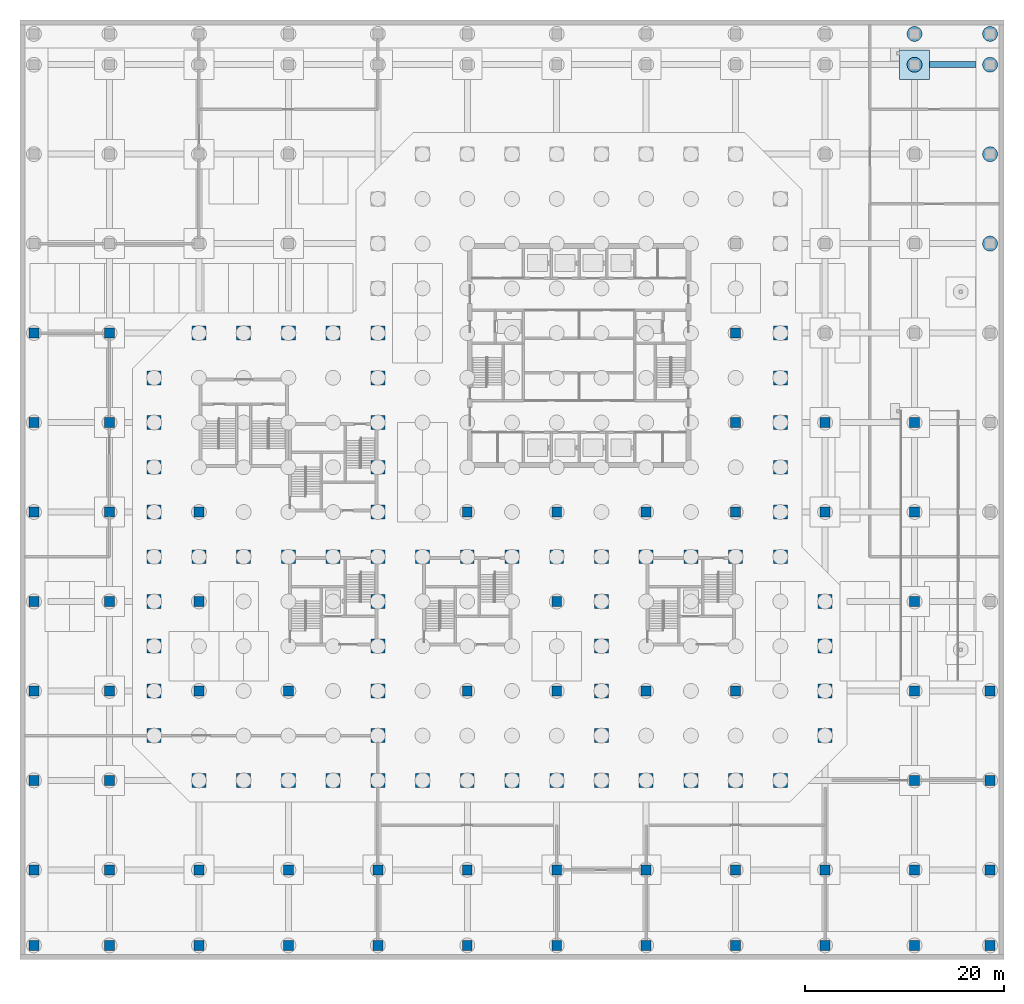
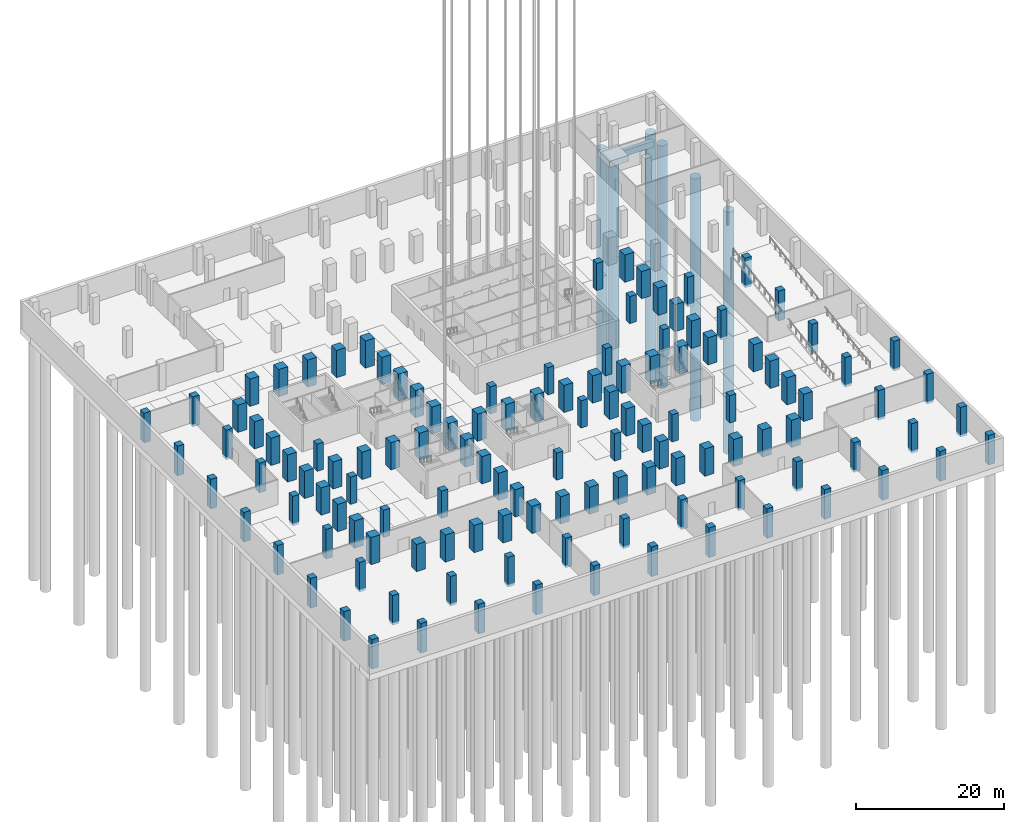
# One storey, part 4 of 37: 123 columns, 6 piles, 2 footings.
"""IFC4 building model written with IfcOpenShell, lengths in metres."""

from ifc_helpers import new_model, si_unit, direction, frame, origin, origin_2d, place, context, subcontext, project, spatial, polyline, rectangle, circle, outline, extrude, material, layer, layer_set, material_profile, profile_set, type_object, element, save


model = new_model("IFC4")

# Units and contexts
model_context = context("Model", 3, precision=1e-05, world=origin(), true_north=direction((0.0, 1.0)))
body_context = subcontext(model_context, "Body", "Model", "MODEL_VIEW")
ifc_project = project(units=[si_unit("LENGTHUNIT", "METRE"), si_unit("AREAUNIT", "SQUARE_METRE"), si_unit("VOLUMEUNIT", "CUBIC_METRE"), si_unit("PLANEANGLEUNIT", "RADIAN"), si_unit("MASSUNIT", "GRAM", prefix="KILO")], contexts=[model_context])

# Site, building, storey
site_placement = place(None, origin())
site = spatial("IfcSite", under=ifc_project, at=site_placement, CompositionType="ELEMENT")
building_placement = place(site_placement, origin())
building = spatial("IfcBuilding", under=site, at=building_placement, Name="Quoin Convention Tower", CompositionType="ELEMENT")
storey_placement = place(building_placement, frame((0.0, 0.0, -9.0)))
storey = spatial("IfcBuildingStorey", under=building, at=storey_placement, Name="B2", CompositionType="ELEMENT", Elevation=-9.0)

# Footing
ifc_material_1 = material(Name="Concrete C50", Category="concrete")
footing_type_1 = type_object("IfcFootingType", Name="PILE CAP 3000x3000x1000 C50", PredefinedType="PILE_CAP", material=ifc_material_1)
footing_1_placement = place(storey_placement, frame((90.0, 90.0, -1.39990234375), z_axis=(0.0, 0.0, 1.0), x_axis=(1.0, 0.0, 0.0)))
element("IfcFooting", 1, at=footing_1_placement, inside=storey, type_object=footing_type_1, Name="ftg-pad-90000_90000", PredefinedType="PILE_CAP", context=body_context, shape_type="SweptSolid", body=[
    extrude(rectangle(XDim=3.0, YDim=3.0, at=origin_2d()), origin(), (0.0, 0.0, 1.0), 1.0),
])

# Piles
ifc_material_2 = material(Name="Concrete C40", Category="concrete")
ifc_material_profile_1 = material_profile(ifc_material_2, circle(Radius=0.75, at=origin_2d()), Name="D1500")
ifc_profile_set_1 = profile_set([ifc_material_profile_1], Name="Concrete C40")
pile_type = type_object("IfcPileType", Name="PILE D1500 C40", PredefinedType="BORED", material=ifc_profile_set_1)
for number, where, z_axis, x_axis, name in (
    (2, (97.60009765625, 72.0, -1.39990234375), (0.0, 0.0, -1.0), (1.0, 0.0, 0.0), "pile-E97600_72000"),
    (3, (97.60009765625, 81.0, -1.39990234375), (0.0, 0.0, -1.0), (1.0, 0.0, 0.0), "pile-E97600_81000"),
    (4, (97.60009765625, 90.0, -1.39990234375), (0.0, 0.0, -1.0), (1.0, 0.0, 0.0), "pile-E97600_90000"),
    (5, (90.0, 93.10009765625, -1.39990234375), (0.0, 0.0, -1.0), (1.0, 0.0, 0.0), "pile-E90000_93100"),
    (6, (97.60009765625, 93.10009765625, -1.39990234375), (0.0, 0.0, -1.0), (1.0, 0.0, 0.0), "pile-E97600_93100"),
    (7, (90.0, 90.0, -1.39990234375), (0.0, 0.0, -1.0), (1.0, 0.0, 0.0), "pile-P90000_90000"),
):
    element("IfcPile", number, at=place(storey_placement, frame(where, z_axis=z_axis, x_axis=x_axis)), inside=storey, type_object=pile_type, Name=name, PredefinedType="BORED", context=body_context, shape_type="SweptSolid", body=[
        extrude(circle(Radius=0.75, at=origin_2d()), origin(), (0.0, 0.0, 1.0), 40.0),
    ])

# Footing
ifc_layer = layer(ifc_material_1, 1.0)
ifc_layer_set = layer_set([ifc_layer], Name="Concrete C50")
footing_type_2 = type_object("IfcFootingType", Name="TIE FOOTING 600 C50", PredefinedType="STRIP_FOOTING", material=ifc_layer_set)
footing_2_placement = place(storey_placement, frame((0.0, 0.0, -1.39990234375)))
element("IfcFooting", 8, at=footing_2_placement, inside=storey, type_object=footing_type_2, Name="ftg-tie-93850_90000", PredefinedType="STRIP_FOOTING", context=body_context, shape_type="SweptSolid", body=[
    extrude(outline(polyline([(96.199951171875, 89.699951171875), (91.5, 89.699951171875), (91.5, 90.300048828125), (96.199951171875, 90.300048828125), (96.199951171875, 89.699951171875)])), origin(), (0.0, 0.0, 1.0), 1.0),
])

# Columns
ifc_material_3 = material(Name="Concrete C100 (100 MPa)", Category="concrete")
ifc_material_profile_2 = material_profile(ifc_material_3, rectangle(XDim=1.0, YDim=1.0, at=origin_2d()), Name="RC 1000x1000")
ifc_profile_set_2 = profile_set([ifc_material_profile_2], Name="Concrete C100 (100 MPa)")
column_type_1 = type_object("IfcColumnType", Name="RC 1000x1000 C100", PredefinedType="COLUMN", material=ifc_profile_set_2)
for number, where, z_axis, x_axis, name in (
    (9, (9.0, 9.0, -0.39990234375), (0.0, 0.0, 1.0), (1.0, 0.0, 0.0), "col-B2-G9000_9000"),
    (10, (9.0, 18.0, -0.39990234375), (0.0, 0.0, 1.0), (1.0, 0.0, 0.0), "col-B2-G9000_18000"),
    (11, (9.0, 27.0, -0.39990234375), (0.0, 0.0, 1.0), (1.0, 0.0, 0.0), "col-B2-G9000_27000"),
    (12, (9.0, 36.0, -0.39990234375), (0.0, 0.0, 1.0), (1.0, 0.0, 0.0), "col-B2-G9000_36000"),
    (13, (9.0, 45.0, -0.39990234375), (0.0, 0.0, 1.0), (1.0, 0.0, 0.0), "col-B2-G9000_45000"),
    (14, (9.0, 54.0, -0.39990234375), (0.0, 0.0, 1.0), (1.0, 0.0, 0.0), "col-B2-G9000_54000"),
    (15, (9.0, 63.0, -0.39990234375), (0.0, 0.0, 1.0), (1.0, 0.0, 0.0), "col-B2-G9000_63000"),
    (16, (18.0, 9.0, -0.39990234375), (0.0, 0.0, 1.0), (1.0, 0.0, 0.0), "col-B2-G18000_9000"),
):
    element("IfcColumn", number, at=place(storey_placement, frame(where, z_axis=z_axis, x_axis=x_axis)), inside=storey, type_object=column_type_1, Name=name, PredefinedType="COLUMN", context=body_context, shape_type="SweptSolid", body=[
        extrude(rectangle(XDim=1.0, YDim=1.0, at=origin_2d()), origin(), (0.0, 0.0, 1.0), 4.89990234375),
    ])
for number, where, z_axis, x_axis, name in (
    (17, (18.0, 27.0, 0.0), (0.0, 0.0, 1.0), (1.0, 0.0, 0.0), "col-B2-G18000_27000"),
    (18, (18.0, 36.0, 0.0), (0.0, 0.0, 1.0), (1.0, 0.0, 0.0), "col-B2-G18000_36000"),
    (19, (18.0, 45.0, 0.0), (0.0, 0.0, 1.0), (1.0, 0.0, 0.0), "col-B2-G18000_45000"),
):
    element("IfcColumn", number, at=place(storey_placement, frame(where, z_axis=z_axis, x_axis=x_axis)), inside=storey, type_object=column_type_1, Name=name, PredefinedType="COLUMN", context=body_context, shape_type="SweptSolid", body=[
        extrude(rectangle(XDim=1.0, YDim=1.0, at=origin_2d()), origin(), (0.0, 0.0, 1.0), 4.5),
    ])
column_1_placement = place(storey_placement, frame((27.0, 9.0, -0.39990234375), z_axis=(0.0, 0.0, 1.0), x_axis=(1.0, 0.0, 0.0)))
element("IfcColumn", 20, at=column_1_placement, inside=storey, type_object=column_type_1, Name="col-B2-G27000_9000", PredefinedType="COLUMN", context=body_context, shape_type="SweptSolid", body=[
    extrude(rectangle(XDim=1.0, YDim=1.0, at=origin_2d()), origin(), (0.0, 0.0, 1.0), 4.89990234375),
])
column_2_placement = place(storey_placement, frame((27.0, 27.0, 0.0), z_axis=(0.0, 0.0, 1.0), x_axis=(1.0, 0.0, 0.0)))
element("IfcColumn", 21, at=column_2_placement, inside=storey, type_object=column_type_1, Name="col-B2-G27000_27000", PredefinedType="COLUMN", context=body_context, shape_type="SweptSolid", body=[
    extrude(rectangle(XDim=1.0, YDim=1.0, at=origin_2d()), origin(), (0.0, 0.0, 1.0), 4.5),
])
for number, where, z_axis, x_axis, name in (
    (22, (36.0, 9.0, -0.39990234375), (0.0, 0.0, 1.0), (1.0, 0.0, 0.0), "col-B2-G36000_9000"),
    (23, (45.0, 9.0, -0.39990234375), (0.0, 0.0, 1.0), (1.0, 0.0, 0.0), "col-B2-G45000_9000"),
):
    element("IfcColumn", number, at=place(storey_placement, frame(where, z_axis=z_axis, x_axis=x_axis)), inside=storey, type_object=column_type_1, Name=name, PredefinedType="COLUMN", context=body_context, shape_type="SweptSolid", body=[
        extrude(rectangle(XDim=1.0, YDim=1.0, at=origin_2d()), origin(), (0.0, 0.0, 1.0), 4.89990234375),
    ])
for number, where, z_axis, x_axis, name in (
    (24, (45.0, 27.0, 0.0), (0.0, 0.0, 1.0), (1.0, 0.0, 0.0), "col-B2-G45000_27000"),
    (25, (45.0, 45.0, 0.0), (0.0, 0.0, 1.0), (1.0, 0.0, 0.0), "col-B2-G45000_45000"),
):
    element("IfcColumn", number, at=place(storey_placement, frame(where, z_axis=z_axis, x_axis=x_axis)), inside=storey, type_object=column_type_1, Name=name, PredefinedType="COLUMN", context=body_context, shape_type="SweptSolid", body=[
        extrude(rectangle(XDim=1.0, YDim=1.0, at=origin_2d()), origin(), (0.0, 0.0, 1.0), 4.5),
    ])
column_3_placement = place(storey_placement, frame((54.0, 9.0, -0.39990234375), z_axis=(0.0, 0.0, 1.0), x_axis=(1.0, 0.0, 0.0)))
element("IfcColumn", 26, at=column_3_placement, inside=storey, type_object=column_type_1, Name="col-B2-G54000_9000", PredefinedType="COLUMN", context=body_context, shape_type="SweptSolid", body=[
    extrude(rectangle(XDim=1.0, YDim=1.0, at=origin_2d()), origin(), (0.0, 0.0, 1.0), 4.89990234375),
])
for number, where, z_axis, x_axis, name in (
    (27, (54.0, 27.0, 0.0), (0.0, 0.0, 1.0), (1.0, 0.0, 0.0), "col-B2-G54000_27000"),
    (28, (54.0, 36.0, 0.0), (0.0, 0.0, 1.0), (1.0, 0.0, 0.0), "col-B2-G54000_36000"),
    (29, (54.0, 45.0, 0.0), (0.0, 0.0, 1.0), (1.0, 0.0, 0.0), "col-B2-G54000_45000"),
):
    element("IfcColumn", number, at=place(storey_placement, frame(where, z_axis=z_axis, x_axis=x_axis)), inside=storey, type_object=column_type_1, Name=name, PredefinedType="COLUMN", context=body_context, shape_type="SweptSolid", body=[
        extrude(rectangle(XDim=1.0, YDim=1.0, at=origin_2d()), origin(), (0.0, 0.0, 1.0), 4.5),
    ])
column_4_placement = place(storey_placement, frame((63.0, 9.0, -0.39990234375), z_axis=(0.0, 0.0, 1.0), x_axis=(1.0, 0.0, 0.0)))
element("IfcColumn", 30, at=column_4_placement, inside=storey, type_object=column_type_1, Name="col-B2-G63000_9000", PredefinedType="COLUMN", context=body_context, shape_type="SweptSolid", body=[
    extrude(rectangle(XDim=1.0, YDim=1.0, at=origin_2d()), origin(), (0.0, 0.0, 1.0), 4.89990234375),
])
for number, where, z_axis, x_axis, name in (
    (31, (63.0, 27.0, 0.0), (0.0, 0.0, 1.0), (1.0, 0.0, 0.0), "col-B2-G63000_27000"),
    (32, (63.0, 45.0, 0.0), (0.0, 0.0, 1.0), (1.0, 0.0, 0.0), "col-B2-G63000_45000"),
):
    element("IfcColumn", number, at=place(storey_placement, frame(where, z_axis=z_axis, x_axis=x_axis)), inside=storey, type_object=column_type_1, Name=name, PredefinedType="COLUMN", context=body_context, shape_type="SweptSolid", body=[
        extrude(rectangle(XDim=1.0, YDim=1.0, at=origin_2d()), origin(), (0.0, 0.0, 1.0), 4.5),
    ])
column_5_placement = place(storey_placement, frame((72.0, 9.0, -0.39990234375), z_axis=(0.0, 0.0, 1.0), x_axis=(1.0, 0.0, 0.0)))
element("IfcColumn", 33, at=column_5_placement, inside=storey, type_object=column_type_1, Name="col-B2-G72000_9000", PredefinedType="COLUMN", context=body_context, shape_type="SweptSolid", body=[
    extrude(rectangle(XDim=1.0, YDim=1.0, at=origin_2d()), origin(), (0.0, 0.0, 1.0), 4.89990234375),
])
for number, where, z_axis, x_axis, name in (
    (34, (72.0, 27.0, 0.0), (0.0, 0.0, 1.0), (1.0, 0.0, 0.0), "col-B2-G72000_27000"),
    (35, (72.0, 45.0, 0.0), (0.0, 0.0, 1.0), (1.0, 0.0, 0.0), "col-B2-G72000_45000"),
    (36, (72.0, 54.0, 0.0), (0.0, 0.0, 1.0), (1.0, 0.0, 0.0), "col-B2-G72000_54000"),
    (37, (72.0, 63.0, 0.0), (0.0, 0.0, 1.0), (1.0, 0.0, 0.0), "col-B2-G72000_63000"),
):
    element("IfcColumn", number, at=place(storey_placement, frame(where, z_axis=z_axis, x_axis=x_axis)), inside=storey, type_object=column_type_1, Name=name, PredefinedType="COLUMN", context=body_context, shape_type="SweptSolid", body=[
        extrude(rectangle(XDim=1.0, YDim=1.0, at=origin_2d()), origin(), (0.0, 0.0, 1.0), 4.5),
    ])
for number, where, z_axis, x_axis, name in (
    (38, (81.0, 9.0, -0.39990234375), (0.0, 0.0, 1.0), (1.0, 0.0, 0.0), "col-B2-G81000_9000"),
    (39, (81.0, 45.0, -0.39990234375), (0.0, 0.0, 1.0), (1.0, 0.0, 0.0), "col-B2-G81000_45000"),
    (40, (81.0, 54.0, -0.39990234375), (0.0, 0.0, 1.0), (1.0, 0.0, 0.0), "col-B2-G81000_54000"),
    (41, (90.0, 9.0, -0.39990234375), (0.0, 0.0, 1.0), (1.0, 0.0, 0.0), "col-B2-G90000_9000"),
    (42, (90.0, 18.0, -0.39990234375), (0.0, 0.0, 1.0), (1.0, 0.0, 0.0), "col-B2-G90000_18000"),
    (43, (90.0, 27.0, -0.39990234375), (0.0, 0.0, 1.0), (1.0, 0.0, 0.0), "col-B2-G90000_27000"),
    (44, (90.0, 36.0, -0.39990234375), (0.0, 0.0, 1.0), (1.0, 0.0, 0.0), "col-B2-G90000_36000"),
    (45, (90.0, 45.0, -0.39990234375), (0.0, 0.0, 1.0), (1.0, 0.0, 0.0), "col-B2-G90000_45000"),
    (46, (90.0, 54.0, -0.39990234375), (0.0, 0.0, 1.0), (1.0, 0.0, 0.0), "col-B2-G90000_54000"),
    (47, (1.39990234375, 1.39990234375, -0.39990234375), (0.0, 0.0, 1.0), (1.0, 0.0, 0.0), "col-B2-X1400_1400"),
    (48, (9.0, 1.39990234375, -0.39990234375), (0.0, 0.0, 1.0), (1.0, 0.0, 0.0), "col-B2-X9000_1400"),
    (49, (18.0, 1.39990234375, -0.39990234375), (0.0, 0.0, 1.0), (1.0, 0.0, 0.0), "col-B2-X18000_1400"),
    (50, (27.0, 1.39990234375, -0.39990234375), (0.0, 0.0, 1.0), (1.0, 0.0, 0.0), "col-B2-X27000_1400"),
    (51, (36.0, 1.39990234375, -0.39990234375), (0.0, 0.0, 1.0), (1.0, 0.0, 0.0), "col-B2-X36000_1400"),
    (52, (45.0, 1.39990234375, -0.39990234375), (0.0, 0.0, 1.0), (1.0, 0.0, 0.0), "col-B2-X45000_1400"),
    (53, (54.0, 1.39990234375, -0.39990234375), (0.0, 0.0, 1.0), (1.0, 0.0, 0.0), "col-B2-X54000_1400"),
    (54, (63.0, 1.39990234375, -0.39990234375), (0.0, 0.0, 1.0), (1.0, 0.0, 0.0), "col-B2-X63000_1400"),
    (55, (72.0, 1.39990234375, -0.39990234375), (0.0, 0.0, 1.0), (1.0, 0.0, 0.0), "col-B2-X72000_1400"),
    (56, (81.0, 1.39990234375, -0.39990234375), (0.0, 0.0, 1.0), (1.0, 0.0, 0.0), "col-B2-X81000_1400"),
    (57, (90.0, 1.39990234375, -0.39990234375), (0.0, 0.0, 1.0), (1.0, 0.0, 0.0), "col-B2-X90000_1400"),
    (58, (97.60009765625, 1.39990234375, -0.39990234375), (0.0, 0.0, 1.0), (1.0, 0.0, 0.0), "col-B2-X97600_1400"),
    (59, (1.39990234375, 9.0, -0.39990234375), (0.0, 0.0, 1.0), (1.0, 0.0, 0.0), "col-B2-X1400_9000"),
    (60, (97.60009765625, 9.0, -0.39990234375), (0.0, 0.0, 1.0), (1.0, 0.0, 0.0), "col-B2-X97600_9000"),
    (61, (1.39990234375, 18.0, -0.39990234375), (0.0, 0.0, 1.0), (1.0, 0.0, 0.0), "col-B2-X1400_18000"),
    (62, (97.60009765625, 18.0, -0.39990234375), (0.0, 0.0, 1.0), (1.0, 0.0, 0.0), "col-B2-X97600_18000"),
    (63, (1.39990234375, 27.0, -0.39990234375), (0.0, 0.0, 1.0), (1.0, 0.0, 0.0), "col-B2-X1400_27000"),
    (64, (97.60009765625, 27.0, -0.39990234375), (0.0, 0.0, 1.0), (1.0, 0.0, 0.0), "col-B2-X97600_27000"),
    (65, (1.39990234375, 36.0, -0.39990234375), (0.0, 0.0, 1.0), (1.0, 0.0, 0.0), "col-B2-X1400_36000"),
    (66, (1.39990234375, 45.0, -0.39990234375), (0.0, 0.0, 1.0), (1.0, 0.0, 0.0), "col-B2-X1400_45000"),
    (67, (1.39990234375, 54.0, -0.39990234375), (0.0, 0.0, 1.0), (1.0, 0.0, 0.0), "col-B2-X1400_54000"),
    (68, (1.39990234375, 63.0, -0.39990234375), (0.0, 0.0, 1.0), (1.0, 0.0, 0.0), "col-B2-X1400_63000"),
):
    element("IfcColumn", number, at=place(storey_placement, frame(where, z_axis=z_axis, x_axis=x_axis)), inside=storey, type_object=column_type_1, Name=name, PredefinedType="COLUMN", context=body_context, shape_type="SweptSolid", body=[
        extrude(rectangle(XDim=1.0, YDim=1.0, at=origin_2d()), origin(), (0.0, 0.0, 1.0), 4.89990234375),
    ])
ifc_material_profile_3 = material_profile(ifc_material_3, rectangle(XDim=1.39990234375, YDim=1.39990234375, at=origin_2d()), Name="RC 1400x1400")
ifc_profile_set_3 = profile_set([ifc_material_profile_3], Name="Concrete C100 (100 MPa)")
column_type_2 = type_object("IfcColumnType", Name="RC 1400x1400 C100", PredefinedType="COLUMN", material=ifc_profile_set_3)
for number, where, z_axis, x_axis, name in (
    (69, (18.0, 18.0, 0.0), (0.0, 0.0, 1.0), (1.0, 0.0, 0.0), "col-B2-18000_18000"),
    (70, (22.5, 18.0, 0.0), (0.0, 0.0, 1.0), (1.0, 0.0, 0.0), "col-B2-22500_18000"),
    (71, (27.0, 18.0, 0.0), (0.0, 0.0, 1.0), (1.0, 0.0, 0.0), "col-B2-27000_18000"),
    (72, (31.5, 18.0, 0.0), (0.0, 0.0, 1.0), (1.0, 0.0, 0.0), "col-B2-31500_18000"),
    (73, (36.0, 18.0, 0.0), (0.0, 0.0, 1.0), (1.0, 0.0, 0.0), "col-B2-36000_18000"),
    (74, (40.5, 18.0, 0.0), (0.0, 0.0, 1.0), (1.0, 0.0, 0.0), "col-B2-40500_18000"),
    (75, (45.0, 18.0, 0.0), (0.0, 0.0, 1.0), (1.0, 0.0, 0.0), "col-B2-45000_18000"),
    (76, (49.5, 18.0, 0.0), (0.0, 0.0, 1.0), (1.0, 0.0, 0.0), "col-B2-49500_18000"),
    (77, (54.0, 18.0, 0.0), (0.0, 0.0, 1.0), (1.0, 0.0, 0.0), "col-B2-54000_18000"),
    (78, (58.5, 18.0, 0.0), (0.0, 0.0, 1.0), (1.0, 0.0, 0.0), "col-B2-58500_18000"),
    (79, (63.0, 18.0, 0.0), (0.0, 0.0, 1.0), (1.0, 0.0, 0.0), "col-B2-63000_18000"),
    (80, (67.5, 18.0, 0.0), (0.0, 0.0, 1.0), (1.0, 0.0, 0.0), "col-B2-67500_18000"),
    (81, (72.0, 18.0, 0.0), (0.0, 0.0, 1.0), (1.0, 0.0, 0.0), "col-B2-72000_18000"),
    (82, (76.5, 18.0, 0.0), (0.0, 0.0, 1.0), (1.0, 0.0, 0.0), "col-B2-76500_18000"),
    (83, (13.5, 22.5, 0.0), (0.0, 0.0, 1.0), (1.0, 0.0, 0.0), "col-B2-13500_22500"),
    (84, (36.0, 22.5, 0.0), (0.0, 0.0, 1.0), (1.0, 0.0, 0.0), "web-B2-36000_22500"),
    (85, (58.5, 22.5, 0.0), (0.0, 0.0, 1.0), (1.0, 0.0, 0.0), "web-B2-58500_22500"),
    (86, (81.0, 22.5, 0.0), (0.0, 0.0, 1.0), (1.0, 0.0, 0.0), "col-B2-81000_22500"),
    (87, (13.5, 27.0, 0.0), (0.0, 0.0, 1.0), (1.0, 0.0, 0.0), "col-B2-13500_27000"),
    (88, (36.0, 27.0, 0.0), (0.0, 0.0, 1.0), (1.0, 0.0, 0.0), "web-B2-36000_27000"),
    (89, (58.5, 27.0, 0.0), (0.0, 0.0, 1.0), (1.0, 0.0, 0.0), "web-B2-58500_27000"),
    (90, (81.0, 27.0, 0.0), (0.0, 0.0, 1.0), (1.0, 0.0, 0.0), "col-B2-81000_27000"),
    (91, (13.5, 31.5, 0.0), (0.0, 0.0, 1.0), (1.0, 0.0, 0.0), "col-B2-13500_31500"),
    (92, (36.0, 31.5, 0.0), (0.0, 0.0, 1.0), (1.0, 0.0, 0.0), "web-B2-36000_31500"),
    (93, (58.5, 31.5, 0.0), (0.0, 0.0, 1.0), (1.0, 0.0, 0.0), "web-B2-58500_31500"),
    (94, (81.0, 31.5, 0.0), (0.0, 0.0, 1.0), (1.0, 0.0, 0.0), "col-B2-81000_31500"),
    (95, (13.5, 36.0, 0.0), (0.0, 0.0, 1.0), (1.0, 0.0, 0.0), "col-B2-13500_36000"),
    (96, (36.0, 36.0, 0.0), (0.0, 0.0, 1.0), (1.0, 0.0, 0.0), "web-B2-36000_36000"),
    (97, (58.5, 36.0, 0.0), (0.0, 0.0, 1.0), (1.0, 0.0, 0.0), "web-B2-58500_36000"),
    (98, (81.0, 36.0, 0.0), (0.0, 0.0, 1.0), (1.0, 0.0, 0.0), "col-B2-81000_36000"),
    (99, (13.5, 40.5, 0.0), (0.0, 0.0, 1.0), (1.0, 0.0, 0.0), "col-B2-13500_40500"),
    (100, (18.0, 40.5, 0.0), (0.0, 0.0, 1.0), (1.0, 0.0, 0.0), "web-B2-18000_40500"),
    (101, (22.5, 40.5, 0.0), (0.0, 0.0, 1.0), (1.0, 0.0, 0.0), "web-B2-22500_40500"),
    (102, (27.0, 40.5, 0.0), (0.0, 0.0, 1.0), (1.0, 0.0, 0.0), "web-B2-27000_40500"),
    (103, (31.5, 40.5, 0.0), (0.0, 0.0, 1.0), (1.0, 0.0, 0.0), "web-B2-31500_40500"),
    (104, (36.0, 40.5, 0.0), (0.0, 0.0, 1.0), (1.0, 0.0, 0.0), "web-B2-36000_40500"),
    (105, (40.5, 40.5, 0.0), (0.0, 0.0, 1.0), (1.0, 0.0, 0.0), "web-B2-40500_40500"),
    (106, (45.0, 40.5, 0.0), (0.0, 0.0, 1.0), (1.0, 0.0, 0.0), "web-B2-45000_40500"),
    (107, (49.5, 40.5, 0.0), (0.0, 0.0, 1.0), (1.0, 0.0, 0.0), "web-B2-49500_40500"),
    (108, (54.0, 40.5, 0.0), (0.0, 0.0, 1.0), (1.0, 0.0, 0.0), "web-B2-54000_40500"),
    (109, (58.5, 40.5, 0.0), (0.0, 0.0, 1.0), (1.0, 0.0, 0.0), "web-B2-58500_40500"),
    (110, (63.0, 40.5, 0.0), (0.0, 0.0, 1.0), (1.0, 0.0, 0.0), "web-B2-63000_40500"),
    (111, (67.5, 40.5, 0.0), (0.0, 0.0, 1.0), (1.0, 0.0, 0.0), "web-B2-67500_40500"),
    (112, (72.0, 40.5, 0.0), (0.0, 0.0, 1.0), (1.0, 0.0, 0.0), "web-B2-72000_40500"),
    (113, (76.5, 40.5, 0.0), (0.0, 0.0, 1.0), (1.0, 0.0, 0.0), "col-B2-76500_40500"),
    (114, (13.5, 45.0, 0.0), (0.0, 0.0, 1.0), (1.0, 0.0, 0.0), "col-B2-13500_45000"),
    (115, (36.0, 45.0, 0.0), (0.0, 0.0, 1.0), (1.0, 0.0, 0.0), "web-B2-36000_45000"),
    (116, (76.5, 45.0, 0.0), (0.0, 0.0, 1.0), (1.0, 0.0, 0.0), "col-B2-76500_45000"),
    (117, (13.5, 49.5, 0.0), (0.0, 0.0, 1.0), (1.0, 0.0, 0.0), "col-B2-13500_49500"),
    (118, (36.0, 49.5, 0.0), (0.0, 0.0, 1.0), (1.0, 0.0, 0.0), "web-B2-36000_49500"),
    (119, (76.5, 49.5, 0.0), (0.0, 0.0, 1.0), (1.0, 0.0, 0.0), "col-B2-76500_49500"),
    (120, (13.5, 54.0, 0.0), (0.0, 0.0, 1.0), (1.0, 0.0, 0.0), "col-B2-13500_54000"),
    (121, (36.0, 54.0, 0.0), (0.0, 0.0, 1.0), (1.0, 0.0, 0.0), "web-B2-36000_54000"),
    (122, (76.5, 54.0, 0.0), (0.0, 0.0, 1.0), (1.0, 0.0, 0.0), "col-B2-76500_54000"),
    (123, (13.5, 58.5, 0.0), (0.0, 0.0, 1.0), (1.0, 0.0, 0.0), "col-B2-13500_58500"),
    (124, (36.0, 58.5, 0.0), (0.0, 0.0, 1.0), (1.0, 0.0, 0.0), "web-B2-36000_58500"),
    (125, (76.5, 58.5, 0.0), (0.0, 0.0, 1.0), (1.0, 0.0, 0.0), "col-B2-76500_58500"),
    (126, (18.0, 63.0, 0.0), (0.0, 0.0, 1.0), (1.0, 0.0, 0.0), "col-B2-18000_63000"),
    (127, (22.5, 63.0, 0.0), (0.0, 0.0, 1.0), (1.0, 0.0, 0.0), "col-B2-22500_63000"),
    (128, (27.0, 63.0, 0.0), (0.0, 0.0, 1.0), (1.0, 0.0, 0.0), "col-B2-27000_63000"),
    (129, (31.5, 63.0, 0.0), (0.0, 0.0, 1.0), (1.0, 0.0, 0.0), "col-B2-31500_63000"),
    (130, (36.0, 63.0, 0.0), (0.0, 0.0, 1.0), (1.0, 0.0, 0.0), "col-B2-36000_63000"),
    (131, (76.5, 63.0, 0.0), (0.0, 0.0, 1.0), (1.0, 0.0, 0.0), "col-B2-76500_63000"),
):
    element("IfcColumn", number, at=place(storey_placement, frame(where, z_axis=z_axis, x_axis=x_axis)), inside=storey, type_object=column_type_2, Name=name, PredefinedType="COLUMN", context=body_context, shape_type="SweptSolid", body=[
        extrude(rectangle(XDim=1.39990234375, YDim=1.39990234375, at=origin_2d()), origin(), (0.0, 0.0, 1.0), 4.5),
    ])

save(model, "model.ifc")
